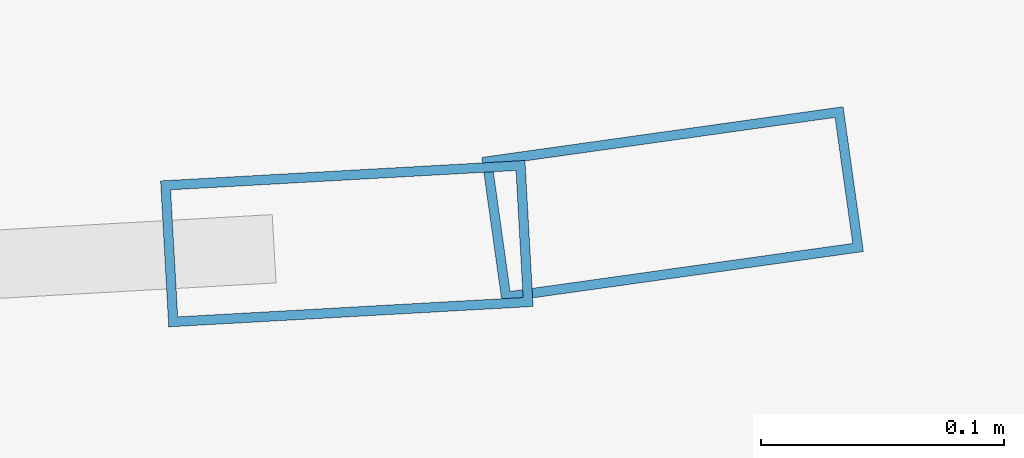
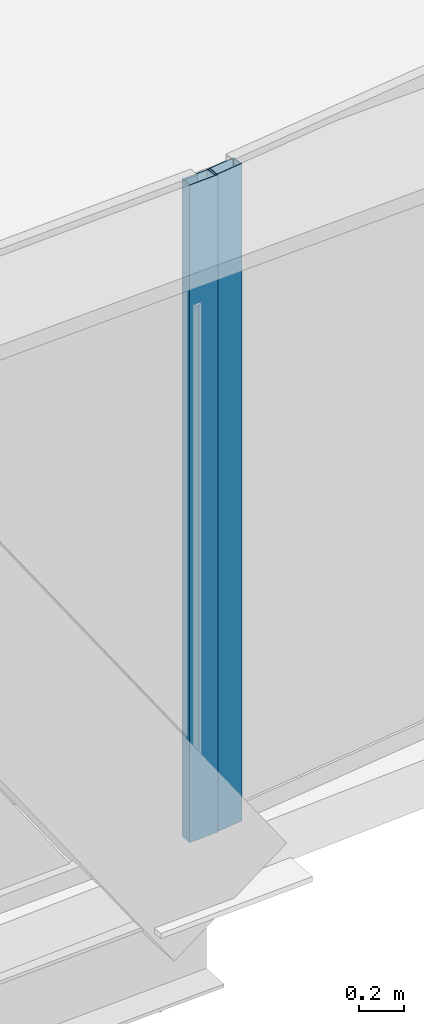
# One storey, part 14 of 37: 2 members, 2 elements without a shape of their own.
"""IFC4 building model written with IfcOpenShell, lengths in metres."""

from ifc_helpers import new_model, si_unit, direction, frame, origin, origin_2d, place, context, subcontext, project, spatial, hollow_rectangle, extrude, source, transform, mapped, material, layer, layer_set, material_profile, profile_set, type_object, element, aggregate, save


model = new_model("IFC4")

# Units and contexts
model_context = context("Model", 3, precision=1e-05, world=origin(), true_north=direction((0.0, 1.0)))
body_context = subcontext(model_context, "Body", "Model", "MODEL_VIEW")
ifc_project = project(units=[si_unit("LENGTHUNIT", "METRE"), si_unit("AREAUNIT", "SQUARE_METRE"), si_unit("VOLUMEUNIT", "CUBIC_METRE"), si_unit("PLANEANGLEUNIT", "RADIAN"), si_unit("MASSUNIT", "GRAM", prefix="KILO"), si_unit("THERMODYNAMICTEMPERATUREUNIT", "KELVIN"), si_unit("POWERUNIT", "WATT")], contexts=[model_context])

# Site, building, storey
site_placement = place(None, origin())
site = spatial("IfcSite", under=ifc_project, at=site_placement, CompositionType="ELEMENT")
building_placement = place(site_placement, origin())
building = spatial("IfcBuilding", under=site, at=building_placement, Name="Yunzhuo Pagoda Commons", CompositionType="ELEMENT")
storey_placement = place(building_placement, frame((0.0, 0.0, 207.56005859375)))
storey = spatial("IfcBuildingStorey", under=building, at=storey_placement, Name="L52", CompositionType="ELEMENT", Elevation=207.56005859375)

# Curtain wall, member
ifc_material = material(Name="Anodized aluminium 6063-T6", Category="aluminium")
ifc_layer = layer(ifc_material, 0.14990234375)
ifc_layer_set = layer_set([ifc_layer], Name="Anodized aluminium 6063-T6")
curtain_wall_type = type_object("IfcCurtainWallType", Name="CW-MID Mid-Zone Ribbon Curtain Wall", PredefinedType="NOTDEFINED", material=ifc_layer_set)
curtain_wall_1_placement = place(storey_placement, origin())
curtain_wall_1 = element("IfcCurtainWall", 1, at=curtain_wall_1_placement, inside=storey, type_object=curtain_wall_type, Name="L52 curtain wall CW-L52-F1B4", PredefinedType="NOTDEFINED")
ifc_material_profile = material_profile(ifc_material, hollow_rectangle(XDim=0.06005859375, YDim=0.14990234375, WallThickness=0.00390625, at=origin_2d()), Name="Anodized aluminium 6063-T6")
ifc_profile_set = profile_set([ifc_material_profile], Name="Anodized aluminium 6063-T6")
member_type = type_object("IfcMemberType", Name="CW-MID-M Mullion RHS 150x60x4", PredefinedType="MULLION", material=ifc_profile_set)
shared_shape = source(origin(), body_context, "Body", "SweptSolid", [
    extrude(hollow_rectangle(XDim=0.06005859375, YDim=0.14990234375, WallThickness=0.00390625, at=origin_2d()), origin(), (0.0, 0.0, 1.0), 3.5400390625),
])
member_1_placement = place(storey_placement, frame((63.592041015625, 15.0810546875, 0.0), z_axis=(0.0, 0.0, 1.0), x_axis=(-0.055819443993, 0.998440879408, 0.0)))
member_1 = element("IfcMember", 2, at=member_1_placement, type_object=member_type, Name="CW mullion 2", PredefinedType="MULLION", context=body_context, shape_type="MappedRepresentation", body=[
    mapped(shared_shape, transform((0.0, 0.0, 0.0), scale=1.0)),
])
aggregate(curtain_wall_1, [member_1])

curtain_wall_2_placement = place(storey_placement, origin())
curtain_wall_2 = element("IfcCurtainWall", 3, at=curtain_wall_2_placement, inside=storey, type_object=curtain_wall_type, Name="L52 curtain wall CW-L52-F1B5", PredefinedType="NOTDEFINED")
member_2_placement = place(storey_placement, frame((63.725830078125, 15.09716796875, 0.0), z_axis=(0.0, 0.0, 1.0), x_axis=(-0.138819494362, 0.990317700531, 0.0)))
member_2 = element("IfcMember", 4, at=member_2_placement, type_object=member_type, Name="CW mullion 1", PredefinedType="MULLION", context=body_context, shape_type="MappedRepresentation", body=[
    mapped(shared_shape, transform((0.0, 0.0, 0.0), scale=1.0)),
])
aggregate(curtain_wall_2, [member_2])

save(model, "model.ifc")
